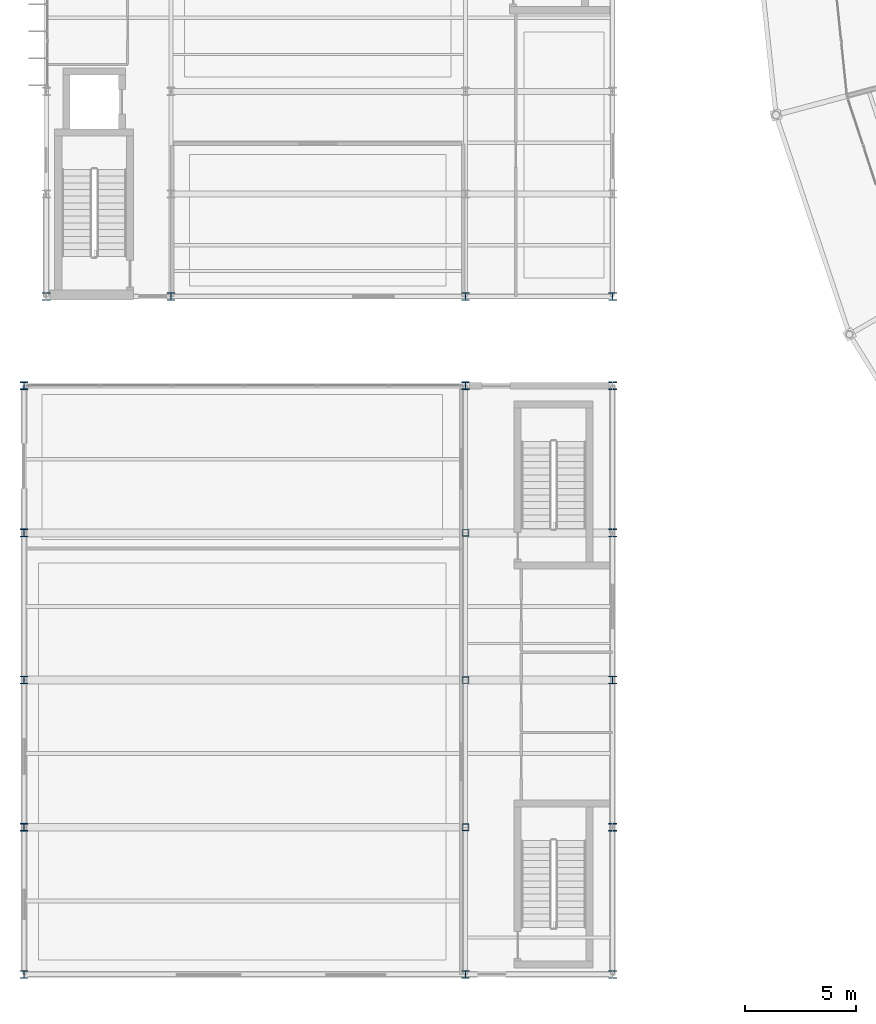
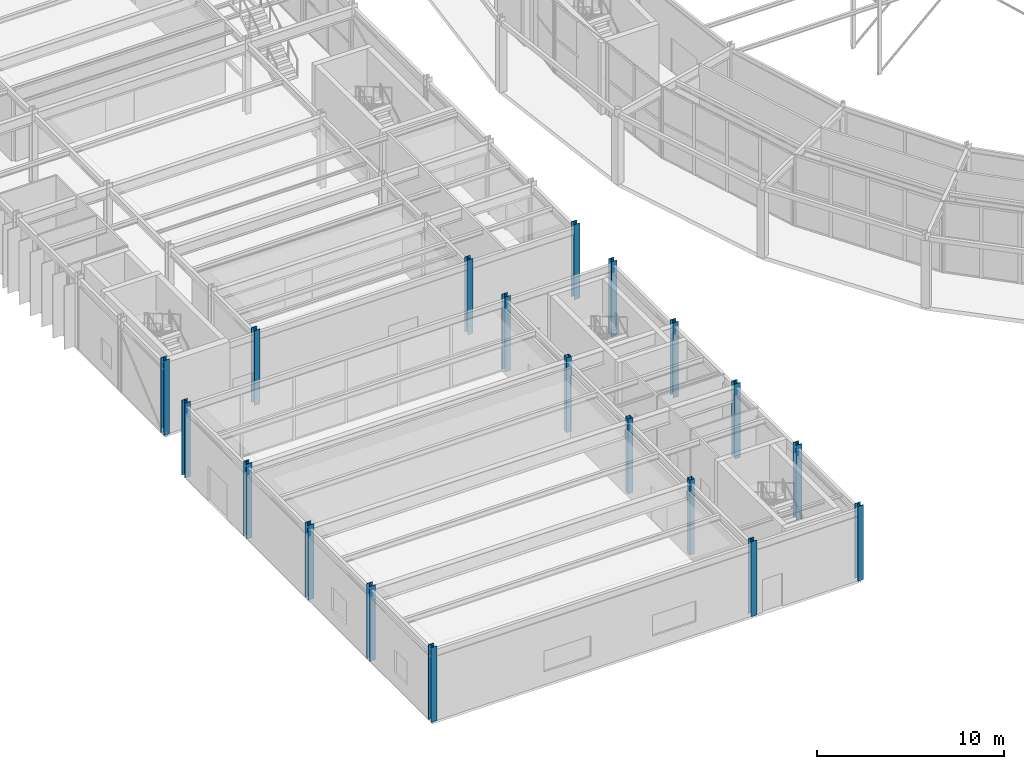
# One storey, part 1 of 144: 19 columns.
"""IFC4 building model written with IfcOpenShell, lengths in metres."""

import ifcopenshell
import ifcopenshell.guid

model = None  # the IFC model being written
_history = None  # IfcOwnerHistory: only IFC2X3 demands one
_inside = {}  # id of a spatial element -> (the spatial element, [elements in it])
_under = {}  # id of a project, library or spatial element -> (it, [spatial elements below it])
_declared = {}  # id of a project -> (the project, [libraries it declares])
_typed = {}  # id of a type object -> (the type object, [elements of that type])
_made_of = {}  # id of a material, layer set ... -> (it, [elements and type objects made of it])


def new_model(schema):
    """Start an empty IFC model of exactly this schema.

    Asked for "IFC4X3", IfcOpenShell would pick the latest addendum, in which some entities
    have other attributes; the version numbers below select the first issue.
    IFC2X3 requires an IfcOwnerHistory on every rooted entity: one is made here for all.
    """
    global model, _history
    if schema == "IFC4X3":
        model = ifcopenshell.file(schema_version=(4, 3, 0, 0))
    else:
        model = ifcopenshell.file(schema=schema)
    _inside.clear()
    _under.clear()
    _declared.clear()
    _typed.clear()
    _made_of.clear()
    _history = None
    if model.schema == "IFC2X3":
        org = make("IfcOrganization", Name="unknown")
        user = make(
            "IfcPersonAndOrganization",
            ThePerson=make("IfcPerson", FamilyName="unknown"),
            TheOrganization=org,
        )
        app = make(
            "IfcApplication",
            ApplicationDeveloper=org,
            Version="unknown",
            ApplicationFullName="unknown",
            ApplicationIdentifier="unknown",
        )
        _history = make(
            "IfcOwnerHistory",
            OwningUser=user,
            OwningApplication=app,
            ChangeAction="ADDED",
            CreationDate=0,
        )
    return model


def make(cls, **values):
    """One entity of the class cls with the attributes given. An attribute that is None is left unset."""
    return model.create_entity(
        cls, **{name: value for name, value in values.items() if value is not None}
    )


def rooted(cls, **values):
    """An entity with a GlobalId (a new one), such as an element, a storey or a relation."""
    return make(cls, GlobalId=ifcopenshell.guid.new(), OwnerHistory=_history, **values)


def si_unit(unit_type, name, prefix=None):
    """IfcSIUnit, for example si_unit("LENGTHUNIT", "METRE", prefix="MILLI")."""
    return make("IfcSIUnit", UnitType=unit_type, Prefix=prefix, Name=name)


def assignment(units):
    """IfcUnitAssignment: the units of a project."""
    return None if units is None else make("IfcUnitAssignment", Units=units)


def point(xyz):
    """IfcCartesianPoint."""
    return None if xyz is None else make("IfcCartesianPoint", Coordinates=xyz)


def direction(xyz):
    """IfcDirection."""
    return None if xyz is None else make("IfcDirection", DirectionRatios=xyz)


def frame(location, z_axis=None, x_axis=None):
    """IfcAxis2Placement3D, a coordinate frame: its origin and axes. An axis left out is left unset."""
    return make(
        "IfcAxis2Placement3D",
        Location=point(location),
        Axis=direction(z_axis),
        RefDirection=direction(x_axis),
    )


def frame_2d(location, x_axis=None):
    """IfcAxis2Placement2D, a coordinate frame in the plane: its origin and x axis."""
    return make(
        "IfcAxis2Placement2D", Location=point(location), RefDirection=direction(x_axis)
    )


def origin():
    """The frame at (0, 0, 0) with its axes left unset."""
    return frame((0.0, 0.0, 0.0))


def origin_2d():
    """The frame at (0, 0) in the plane with its x axis left unset."""
    return frame_2d((0.0, 0.0))


def place(relative_to, where):
    """IfcLocalPlacement: puts the frame where relative to a parent placement (None: the world)."""
    return make(
        "IfcLocalPlacement", PlacementRelTo=relative_to, RelativePlacement=where
    )


def context(
    kind, dimensions, precision=None, world=None, true_north=None, identifier=None
):
    """IfcGeometricRepresentationContext, for example the 3D "Model" context."""
    return make(
        "IfcGeometricRepresentationContext",
        ContextIdentifier=identifier,
        ContextType=kind,
        CoordinateSpaceDimension=dimensions,
        Precision=precision,
        WorldCoordinateSystem=world,
        TrueNorth=true_north,
    )


def subcontext(parent, identifier, kind, view, scale=None):
    """IfcGeometricRepresentationSubContext, for example "Body" below "Model"."""
    return make(
        "IfcGeometricRepresentationSubContext",
        ContextIdentifier=identifier,
        ContextType=kind,
        ParentContext=parent,
        TargetScale=scale,
        TargetView=view,
    )


def project(units=None, contexts=None):
    """IfcProject with its units and contexts."""
    return rooted(
        "IfcProject",
        Name="project",
        RepresentationContexts=contexts,
        UnitsInContext=assignment(units),
    )


def spatial(cls, under=None, at=None, **own):
    """A site, building, storey or space (cls), placed at a placement, below another one or the project."""
    s = rooted(cls, ObjectPlacement=at, **own)
    if under is not None:
        _under.setdefault(under.id(), (under, []))[1].append(s)
    return s


def profile(cls, at=None, kind="AREA", **sizes):
    """A parametric profile (cls). Its sizes go by their IFC names, for example OverallWidth=200.0."""
    return make(cls, ProfileType=kind, Position=at, **sizes)


def hollow_rectangle(**sizes):
    """IfcRectangleHollowProfileDef."""
    return profile("IfcRectangleHollowProfileDef", **sizes)


def i_section(**sizes):
    """IfcIShapeProfileDef."""
    return profile("IfcIShapeProfileDef", **sizes)


def extrude(swept, where, along, depth):
    """IfcExtrudedAreaSolid: the profile swept, set in the frame where, extruded along a direction by depth."""
    return make(
        "IfcExtrudedAreaSolid",
        SweptArea=swept,
        Position=where,
        ExtrudedDirection=direction(along),
        Depth=depth,
    )


def shape(context_of_items, identifier, shape_type, items):
    """IfcShapeRepresentation: the items that make up one representation, for example the "Body"."""
    return make(
        "IfcShapeRepresentation",
        ContextOfItems=context_of_items,
        RepresentationIdentifier=identifier,
        RepresentationType=shape_type,
        Items=items,
    )


def material(Name=None, Category=None):
    """IfcMaterial."""
    return make("IfcMaterial", Name=Name, Category=Category)


def material_profile(
    of_material, cross_section, Name=None, Category=None, Priority=None
):
    """IfcMaterialProfile: a cross section and its material."""
    return make(
        "IfcMaterialProfile",
        Name=Name,
        Material=of_material,
        Profile=cross_section,
        Priority=Priority,
        Category=Category,
    )


def profile_set(profiles, Name=None, composite=None):
    """IfcMaterialProfileSet."""
    return make(
        "IfcMaterialProfileSet",
        Name=Name,
        MaterialProfiles=profiles,
        CompositeProfile=composite,
    )


def made_of(thing, what):
    """Note that an element or type object is made of a material, layer set ...; save() writes the relation."""
    if what is not None:
        _made_of.setdefault(what.id(), (what, []))[1].append(thing)
    return thing


def type_object(cls, material=None, **own):
    """A type object (cls), such as IfcWallType, which elements share."""
    return made_of(rooted(cls, **own), material)


def element(
    cls,
    number,
    at=None,
    inside=None,
    cuts=None,
    type_object=None,
    material=None,
    context=None,
    identifier="Body",
    shape_type=None,
    held_by="IfcProductDefinitionShape",
    body=None,
    shapes=None,
    **own,
):
    """One element of the class cls, such as IfcWall. Its Tag is "e" and its number.

    at: its placement. inside: the storey or other place that contains it. cuts: it is an
    opening in that element (IfcRelVoidsElement). A single representation is given by context,
    identifier, shape_type and body (its items); several are given by shapes. held_by: the class
    of the entity that holds the representations. save() writes the other relations.
    """
    e = rooted(cls, Tag="e%d" % number, ObjectPlacement=at, **own)
    if body is not None:
        shapes = [shape(context, identifier, shape_type, body)]
    if shapes is not None:
        e.Representation = make(held_by, Representations=shapes)
    if inside is not None:
        _inside.setdefault(inside.id(), (inside, []))[1].append(e)
    if cuts is not None:
        rooted(
            "IfcRelVoidsElement", RelatingBuildingElement=cuts, RelatedOpeningElement=e
        )
    if type_object is not None:
        _typed.setdefault(type_object.id(), (type_object, []))[1].append(e)
    return made_of(e, material)


def aggregate(whole, parts):
    """IfcRelAggregates: a whole, such as a stair, and the parts it consists of."""
    return rooted("IfcRelAggregates", RelatingObject=whole, RelatedObjects=parts)


def save(model, path):
    """Write the relations noted so far, then the file.

    IfcRelAggregates (storeys below a building ...), IfcRelContainedInSpatialStructure (elements
    in a storey), IfcRelDefinesByType, IfcRelAssociatesMaterial and IfcRelDeclares: one each for
    every whole, place, type object, material and project.
    """
    for whole, parts in _under.values():
        aggregate(whole, parts)
    for where, things in _inside.values():
        rooted(
            "IfcRelContainedInSpatialStructure",
            RelatedElements=things,
            RelatingStructure=where,
        )
    for kind, things in _typed.values():
        rooted("IfcRelDefinesByType", RelatedObjects=things, RelatingType=kind)
    for what, things in _made_of.values():
        rooted("IfcRelAssociatesMaterial", RelatedObjects=things, RelatingMaterial=what)
    for by, libraries in _declared.values():
        rooted("IfcRelDeclares", RelatingContext=by, RelatedDefinitions=libraries)
    model.write(path)


model = new_model("IFC4")

# Units and contexts
model_context = context("Model", 3, precision=1e-05, world=origin(), true_north=direction((0.0, 1.0)))
body_context = subcontext(model_context, "Body", "Model", "MODEL_VIEW")
ifc_project = project(units=[si_unit("LENGTHUNIT", "METRE"), si_unit("AREAUNIT", "SQUARE_METRE"), si_unit("VOLUMEUNIT", "CUBIC_METRE"), si_unit("PLANEANGLEUNIT", "RADIAN"), si_unit("MASSUNIT", "GRAM", prefix="KILO")], contexts=[model_context])

# Site, building, storey
site_placement = place(None, origin())
site = spatial("IfcSite", under=ifc_project, at=site_placement, CompositionType="ELEMENT")
building_placement = place(site_placement, origin())
building = spatial("IfcBuilding", under=site, at=building_placement, Name="Karori Crest Natural Sciences Institute", CompositionType="ELEMENT")
storey_placement = place(building_placement, origin())
storey = spatial("IfcBuildingStorey", under=building, at=storey_placement, Name="L00", CompositionType="ELEMENT", Elevation=0.0)

# Columns
ifc_material_1 = material(Name="Structural steel AS/NZS 3679.1 Grade 350", Category="steel")
ifc_material_profile_1 = material_profile(ifc_material_1, i_section(OverallWidth=0.35009765625, OverallDepth=0.35009765625, WebThickness=0.02001953125, FlangeThickness=0.031982421875, FilletRadius=0.01611328125, at=origin_2d()), Name="350WC280")
ifc_profile_set_1 = profile_set([ifc_material_profile_1], Name="Structural steel AS/NZS 3679.1 Grade 350")
column_type_1 = type_object("IfcColumnType", Name="CT-03-EL", PredefinedType="COLUMN", material=ifc_profile_set_1)
for number, where, z_axis, x_axis, name in (
    (1, (0.800048828125, 0.800048828125, 0.0), (0.0, 0.0, 1.0), (1.0, 0.0, 0.0), "Column C-0470"),
    (2, (0.800048828125, 7.39990234375, 0.0), (0.0, 0.0, 1.0), (1.0, 0.0, 0.0), "Column C-0474"),
    (3, (0.800048828125, 14.0, 0.0), (0.0, 0.0, 1.0), (1.0, 0.0, 0.0), "Column C-0478"),
    (4, (0.800048828125, 20.60009765625, 0.0), (0.0, 0.0, 1.0), (1.0, 0.0, 0.0), "Column C-0482"),
    (5, (0.800048828125, 27.199951171875, 0.0), (0.0, 0.0, 1.0), (1.0, 0.0, 0.0), "Column C-0486"),
    (6, (20.60009765625, 0.800048828125, 0.0), (0.0, 0.0, 1.0), (1.0, 0.0, 0.0), "Column C-0490"),
    (7, (20.60009765625, 27.199951171875, 0.0), (0.0, 0.0, 1.0), (1.0, 0.0, 0.0), "Column C-0506"),
    (8, (27.199951171875, 0.800048828125, 0.0), (0.0, 0.0, 1.0), (1.0, 0.0, 0.0), "Column C-0510"),
    (9, (27.199951171875, 7.39990234375, 0.0), (0.0, 0.0, 1.0), (1.0, 0.0, 0.0), "Column C-0514"),
    (10, (27.199951171875, 14.0, 0.0), (0.0, 0.0, 1.0), (1.0, 0.0, 0.0), "Column C-0518"),
    (11, (27.199951171875, 20.60009765625, 0.0), (0.0, 0.0, 1.0), (1.0, 0.0, 0.0), "Column C-0522"),
    (12, (27.199951171875, 27.199951171875, 0.0), (0.0, 0.0, 1.0), (1.0, 0.0, 0.0), "Column C-0526"),
    (13, (1.800048828125, 31.199951171875, 0.0), (0.0, 0.0, 1.0), (1.0, 0.0, 0.0), "Column C-0530"),
    (14, (7.39990234375, 31.199951171875, 0.0), (0.0, 0.0, 1.0), (1.0, 0.0, 0.0), "Column C-0575"),
    (15, (20.60009765625, 31.199951171875, 0.0), (0.0, 0.0, 1.0), (1.0, 0.0, 0.0), "Column C-0620"),
    (16, (27.199951171875, 31.199951171875, 0.0), (0.0, 0.0, 1.0), (1.0, 0.0, 0.0), "Column C-0665"),
):
    element("IfcColumn", number, at=place(storey_placement, frame(where, z_axis=z_axis, x_axis=x_axis)), inside=storey, type_object=column_type_1, Name=name, PredefinedType="COLUMN", context=body_context, shape_type="SweptSolid", body=[
        extrude(i_section(OverallWidth=0.35009765625, OverallDepth=0.35009765625, WebThickness=0.02001953125, FlangeThickness=0.031982421875, FilletRadius=0.01611328125, at=origin_2d()), origin(), (0.0, 0.0, 1.0), 4.89990234375),
    ])
ifc_material_2 = material(Name="Hollow structural steel AS/NZS 1163 Grade C350", Category="steel")
ifc_material_profile_2 = material_profile(ifc_material_2, hollow_rectangle(XDim=0.300048828125, YDim=0.300048828125, WallThickness=0.012451171875, at=origin_2d()), Name="SHS300x300x12.5")
ifc_profile_set_2 = profile_set([ifc_material_profile_2], Name="Hollow structural steel AS/NZS 1163 Grade C350")
column_type_2 = type_object("IfcColumnType", Name="CT-11", PredefinedType="COLUMN", material=ifc_profile_set_2)
for number, where, z_axis, x_axis, name in (
    (17, (20.60009765625, 7.39990234375, 0.0), (0.0, 0.0, 1.0), (1.0, 0.0, 0.0), "Column C-0494"),
    (18, (20.60009765625, 14.0, 0.0), (0.0, 0.0, 1.0), (1.0, 0.0, 0.0), "Column C-0498"),
    (19, (20.60009765625, 20.60009765625, 0.0), (0.0, 0.0, 1.0), (1.0, 0.0, 0.0), "Column C-0502"),
):
    element("IfcColumn", number, at=place(storey_placement, frame(where, z_axis=z_axis, x_axis=x_axis)), inside=storey, type_object=column_type_2, Name=name, PredefinedType="COLUMN", context=body_context, shape_type="SweptSolid", body=[
        extrude(hollow_rectangle(XDim=0.300048828125, YDim=0.300048828125, WallThickness=0.012451171875, at=origin_2d()), origin(), (0.0, 0.0, 1.0), 4.89990234375),
    ])

save(model, "model.ifc")
